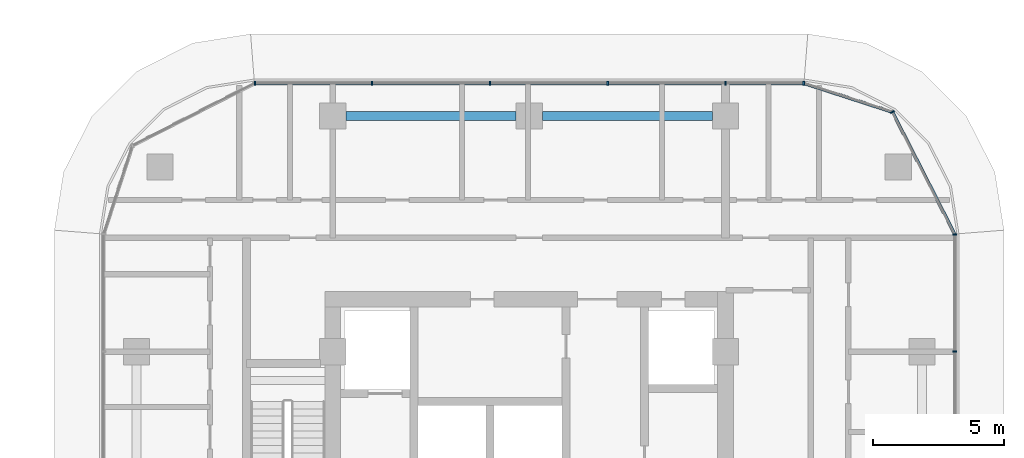
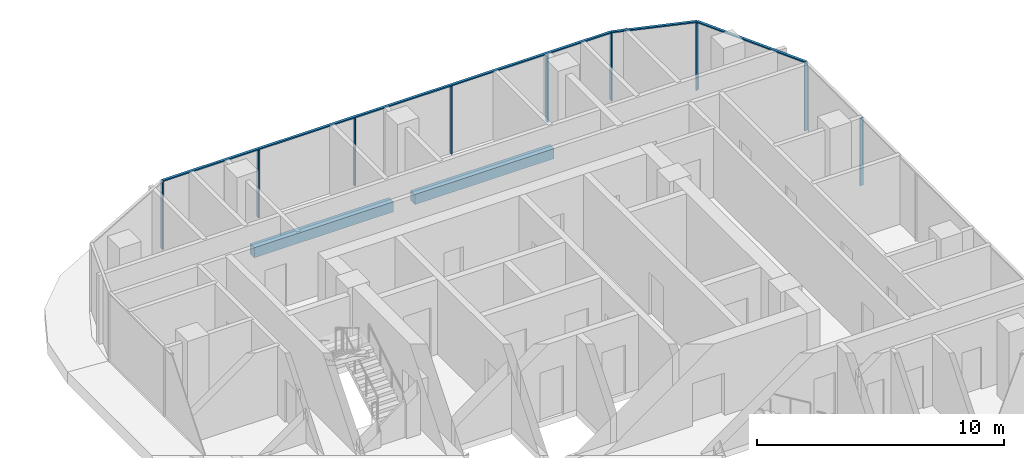
# One storey, part 13 of 39: 12 members, 2 beams, 3 elements without a shape of their own.
"""IFC4 building model written with IfcOpenShell, lengths in metres."""

from ifc_helpers import new_model, si_unit, direction, frame, origin, origin_2d, place, context, subcontext, project, spatial, rectangle, extrude, material, material_profile, profile_set, type_object, element, aggregate, save


model = new_model("IFC4")

# Units and contexts
model_context = context("Model", 3, precision=1e-05, world=origin(), true_north=direction((0.0, 1.0)))
body_context = subcontext(model_context, "Body", "Model", "MODEL_VIEW")
ifc_project = project(units=[si_unit("LENGTHUNIT", "METRE"), si_unit("AREAUNIT", "SQUARE_METRE"), si_unit("VOLUMEUNIT", "CUBIC_METRE"), si_unit("PLANEANGLEUNIT", "RADIAN"), si_unit("MASSUNIT", "GRAM", prefix="KILO")], contexts=[model_context])

# Site, building, storey
site_placement = place(None, origin())
site = spatial("IfcSite", under=ifc_project, at=site_placement, CompositionType="ELEMENT")
building_placement = place(site_placement, origin())
building = spatial("IfcBuilding", under=site, at=building_placement, Name="Ogive Portal Towers", CompositionType="ELEMENT")
storey_placement = place(building_placement, frame((0.0, 0.0, 44.60009765625)))
storey = spatial("IfcBuildingStorey", under=building, at=storey_placement, Name="L09", CompositionType="ELEMENT", Elevation=44.60009765625)

# Curtain wall, members
ifc_material_1 = material(Name="Glass, clear low-iron insulated glazing", Category="glass")
curtain_wall_type = type_object("IfcCurtainWallType", Name="CW RESIDENCES RIBBON", PredefinedType="NOTDEFINED", material=ifc_material_1)
curtain_wall_1_placement = place(storey_placement, origin())
curtain_wall_1 = element("IfcCurtainWall", 1, at=curtain_wall_1_placement, inside=storey, type_object=curtain_wall_type, Name="B:L09:f05:cw0", PredefinedType="NOTDEFINED")
ifc_material_2 = material(Name="Aluminium 6063 anodised", Category="aluminium")
ifc_material_profile_1 = material_profile(ifc_material_2, rectangle(XDim=0.159912109375, YDim=0.06005859375, at=origin_2d()), Name="AL 60x160")
ifc_profile_set_1 = profile_set([ifc_material_profile_1], Name="Aluminium 6063 anodised")
member_type_1 = type_object("IfcMemberType", Name="CW MULLION 60x160", PredefinedType="MULLION", material=ifc_profile_set_1)
member_1_placement = place(storey_placement, frame((152.7548828125, 35.5, 0.0), z_axis=(0.0, 0.0, 1.0), x_axis=(-1.0, 0.0, 0.0)))
member_1 = element("IfcMember", 2, at=member_1_placement, type_object=member_type_1, Name="mullion", PredefinedType="MULLION", context=body_context, shape_type="SweptSolid", body=[
    extrude(rectangle(XDim=0.159912109375, YDim=0.06005859375, at=origin_2d()), origin(), (0.0, 0.0, 1.0), 3.33984375),
])
member_2_placement = place(storey_placement, frame((152.7548828125, 39.980712890625, 0.0), z_axis=(0.0, 0.0, 1.0), x_axis=(-1.0, 0.0, 0.0)))
member_2 = element("IfcMember", 3, at=member_2_placement, type_object=member_type_1, Name="mullion", PredefinedType="MULLION", context=body_context, shape_type="SweptSolid", body=[
    extrude(rectangle(XDim=0.159912109375, YDim=0.06005859375, at=origin_2d()), origin(), (0.0, 0.0, 1.0), 3.33984375),
])
aggregate(curtain_wall_1, [member_1, member_2])

curtain_wall_2_placement = place(storey_placement, origin())
curtain_wall_2 = element("IfcCurtainWall", 4, at=curtain_wall_2_placement, inside=storey, type_object=curtain_wall_type, Name="B:L09:f08:cw0", PredefinedType="NOTDEFINED")
member_3_placement = place(storey_placement, frame((146.9873046875, 45.7548828125, 0.0), z_axis=(0.0, 0.0, 1.0), x_axis=(0.0, -1.0, 0.0)))
member_3 = element("IfcMember", 5, at=member_3_placement, type_object=member_type_1, Name="mullion", PredefinedType="MULLION", context=body_context, shape_type="SweptSolid", body=[
    extrude(rectangle(XDim=0.159912109375, YDim=0.06005859375, at=origin_2d()), origin(), (0.0, 0.0, 1.0), 3.33984375),
])
member_4_placement = place(storey_placement, frame((144.0, 45.7548828125, 0.0), z_axis=(0.0, 0.0, 1.0), x_axis=(0.0, -1.0, 0.0)))
member_4 = element("IfcMember", 6, at=member_4_placement, type_object=member_type_1, Name="mullion", PredefinedType="MULLION", context=body_context, shape_type="SweptSolid", body=[
    extrude(rectangle(XDim=0.159912109375, YDim=0.06005859375, at=origin_2d()), origin(), (0.0, 0.0, 1.0), 3.33984375),
])
member_5_placement = place(storey_placement, frame((139.5, 45.7548828125, 0.0), z_axis=(0.0, 0.0, 1.0), x_axis=(0.0, -1.0, 0.0)))
member_5 = element("IfcMember", 7, at=member_5_placement, type_object=member_type_1, Name="mullion", PredefinedType="MULLION", context=body_context, shape_type="SweptSolid", body=[
    extrude(rectangle(XDim=0.159912109375, YDim=0.06005859375, at=origin_2d()), origin(), (0.0, 0.0, 1.0), 3.33984375),
])
member_6_placement = place(storey_placement, frame((135.0, 45.7548828125, 0.0), z_axis=(0.0, 0.0, 1.0), x_axis=(0.0, -1.0, 0.0)))
member_6 = element("IfcMember", 8, at=member_6_placement, type_object=member_type_1, Name="mullion", PredefinedType="MULLION", context=body_context, shape_type="SweptSolid", body=[
    extrude(rectangle(XDim=0.159912109375, YDim=0.06005859375, at=origin_2d()), origin(), (0.0, 0.0, 1.0), 3.33984375),
])
member_7_placement = place(storey_placement, frame((130.5, 45.7548828125, 0.0), z_axis=(0.0, 0.0, 1.0), x_axis=(0.0, -1.0, 0.0)))
member_7 = element("IfcMember", 9, at=member_7_placement, type_object=member_type_1, Name="mullion", PredefinedType="MULLION", context=body_context, shape_type="SweptSolid", body=[
    extrude(rectangle(XDim=0.159912109375, YDim=0.06005859375, at=origin_2d()), origin(), (0.0, 0.0, 1.0), 3.33984375),
])
member_8_placement = place(storey_placement, frame((126.019287109375, 45.7548828125, 0.0), z_axis=(0.0, 0.0, 1.0), x_axis=(0.0, -1.0, 0.0)))
member_8 = element("IfcMember", 10, at=member_8_placement, type_object=member_type_1, Name="mullion", PredefinedType="MULLION", context=body_context, shape_type="SweptSolid", body=[
    extrude(rectangle(XDim=0.159912109375, YDim=0.06005859375, at=origin_2d()), origin(), (0.0, 0.0, 1.0), 3.33984375),
])

# Curtain wall, member
curtain_wall_3_placement = place(storey_placement, origin())
curtain_wall_3 = element("IfcCurtainWall", 11, at=curtain_wall_3_placement, inside=storey, type_object=curtain_wall_type, Name="B:L09:f06:cwa", PredefinedType="NOTDEFINED")
member_9_placement = place(storey_placement, frame((150.37353515625, 44.65478515625, 0.0), z_axis=(0.0, 0.0, 1.0), x_axis=(-0.891006524188, -0.45399049974, 0.0)))
member_9 = element("IfcMember", 12, at=member_9_placement, type_object=member_type_1, Name="mullion", PredefinedType="MULLION", context=body_context, shape_type="SweptSolid", body=[
    extrude(rectangle(XDim=0.159912109375, YDim=0.06005859375, at=origin_2d()), origin(), (0.0, 0.0, 1.0), 3.33984375),
])

# Member
ifc_material_profile_2 = material_profile(ifc_material_2, rectangle(XDim=0.1201171875, YDim=0.06005859375, at=origin_2d()), Name="AL 120x60")
ifc_profile_set_2 = profile_set([ifc_material_profile_2], Name="Aluminium 6063 anodised")
member_type_2 = type_object("IfcMemberType", Name="CW TRANSOM 60x120", PredefinedType="USERDEFINED", material=ifc_profile_set_2)
member_10_placement = place(storey_placement, frame((146.9873046875, 45.7548828125, 3.369873046875), z_axis=(-1.0, 0.0, 0.0), x_axis=(0.0, -1.0, 0.0)))
member_10 = element("IfcMember", 13, at=member_10_placement, type_object=member_type_2, Name="transom", ObjectType="TRANSOM", PredefinedType="USERDEFINED", context=body_context, shape_type="SweptSolid", body=[
    extrude(rectangle(XDim=0.1201171875, YDim=0.06005859375, at=origin_2d()), origin(), (0.0, 0.0, 1.0), 20.968017578125),
])

aggregate(curtain_wall_2, [member_10, member_3, member_4, member_5, member_6, member_7, member_8])

member_11_placement = place(storey_placement, frame((152.7548828125, 39.980712890625, 3.369873046875), z_axis=(-0.453958549068, 0.891022803147, 0.0), x_axis=(-0.891022803147, -0.453958549068, 0.0)))
member_11 = element("IfcMember", 14, at=member_11_placement, type_object=member_type_2, Name="transom", ObjectType="TRANSOM", PredefinedType="USERDEFINED", context=body_context, shape_type="SweptSolid", body=[
    extrude(rectangle(XDim=0.1201171875, YDim=0.06005859375, at=origin_2d()), origin(), (0.0, 0.0, 1.0), 5.245849609375),
])

member_12_placement = place(storey_placement, frame((150.37353515625, 44.65478515625, 3.369873046875), z_axis=(-0.951069336097, 0.308977536298, 0.0), x_axis=(-0.308977536298, -0.951069336097, 0.0)))
member_12 = element("IfcMember", 15, at=member_12_placement, type_object=member_type_2, Name="transom", ObjectType="TRANSOM", PredefinedType="USERDEFINED", context=body_context, shape_type="SweptSolid", body=[
    extrude(rectangle(XDim=0.1201171875, YDim=0.06005859375, at=origin_2d()), origin(), (0.0, 0.0, 1.0), 3.560546875),
])

aggregate(curtain_wall_3, [member_11, member_12, member_9])

# Beams
ifc_material_3 = material(Name="Concrete C50/60", Category="concrete")
ifc_material_profile_3 = material_profile(ifc_material_3, rectangle(XDim=0.35009765625, YDim=0.5, at=origin_2d()), Name="RC 350x500")
ifc_profile_set_3 = profile_set([ifc_material_profile_3], Name="Concrete C50/60")
beam_type = type_object("IfcBeamType", Name="SPANDREL BEAM RC 350x500", PredefinedType="BEAM", material=ifc_profile_set_3)
for number, where, z_axis, x_axis, name in (
    (16, (143.5, 44.5, -0.550048828125), (-1.0, 0.0, 0.0), (0.0, -1.0, 0.0), "Spandrel beam L09"),
    (17, (136.0, 44.5, -0.550048828125), (-1.0, 0.0, 0.0), (0.0, -1.0, 0.0), "Spandrel beam L09"),
):
    element("IfcBeam", number, at=place(storey_placement, frame(where, z_axis=z_axis, x_axis=x_axis)), inside=storey, type_object=beam_type, Name=name, PredefinedType="BEAM", context=body_context, shape_type="SweptSolid", body=[
        extrude(rectangle(XDim=0.35009765625, YDim=0.5, at=origin_2d()), origin(), (0.0, 0.0, 1.0), 6.5),
    ])

save(model, "model.ifc")
